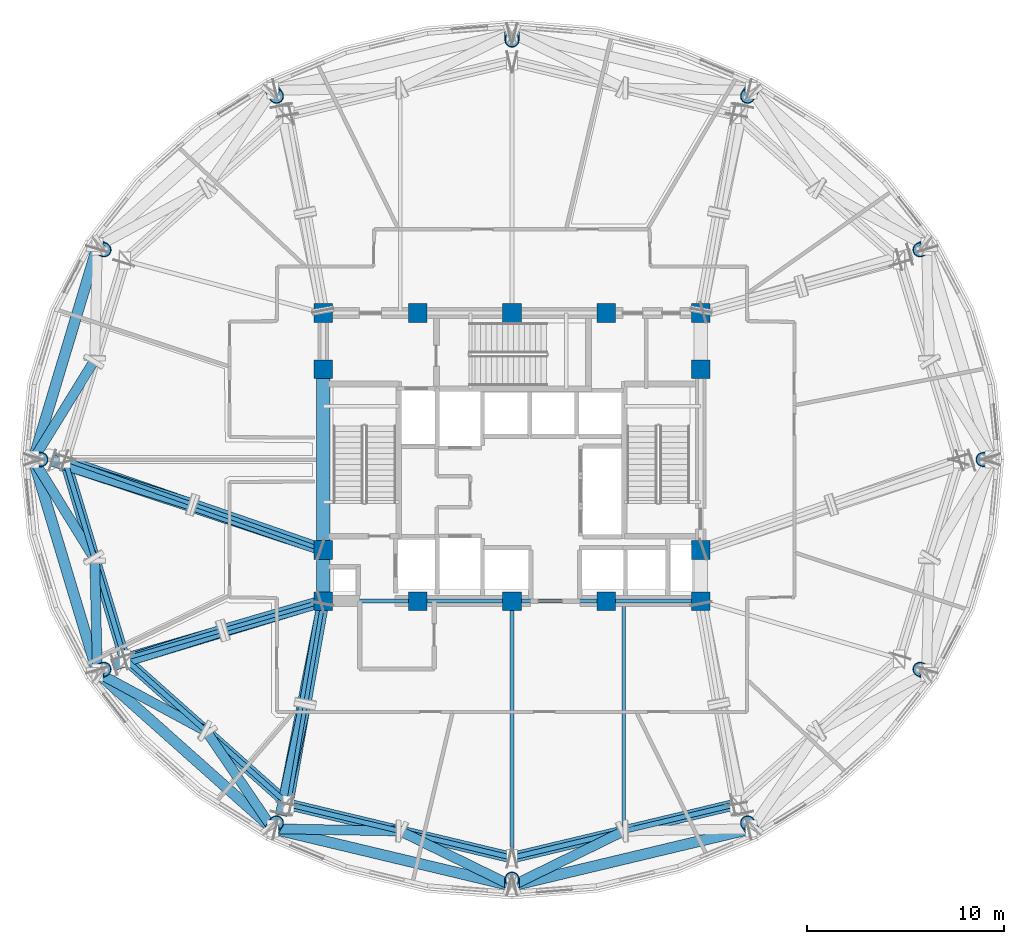
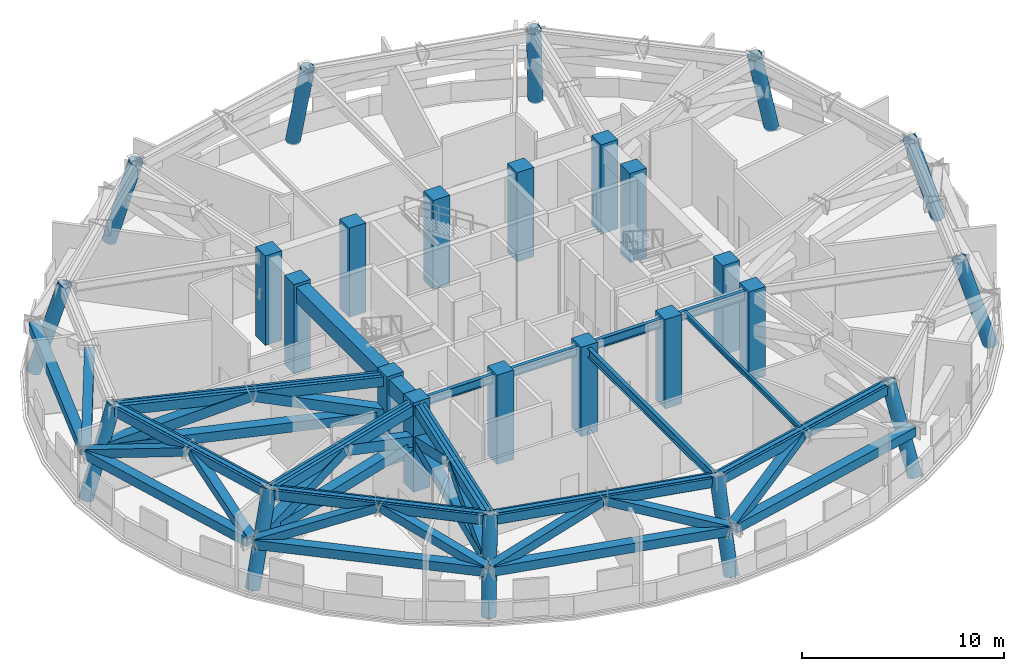
# One storey, part 1 of 13: 29 members, 26 columns, 15 beams.
"""IFC4 building model written with IfcOpenShell, lengths in metres."""

from ifc_helpers import new_model, si_unit, direction, frame, origin, origin_2d, place, context, subcontext, project, spatial, rectangle, hollow_rectangle, hollow_circle, i_section, extrude, material, material_profile, profile_set, type_object, element, save


model = new_model("IFC4")

# Units and contexts
model_context = context("Model", 3, precision=1e-05, world=origin(), true_north=direction((0.0, 1.0)))
body_context = subcontext(model_context, "Body", "Model", "MODEL_VIEW")
ifc_project = project(units=[si_unit("LENGTHUNIT", "METRE"), si_unit("AREAUNIT", "SQUARE_METRE"), si_unit("VOLUMEUNIT", "CUBIC_METRE"), si_unit("PLANEANGLEUNIT", "RADIAN"), si_unit("MASSUNIT", "GRAM", prefix="KILO")], contexts=[model_context])

# Site, building, storey
site_placement = place(None, origin())
site = spatial("IfcSite", under=ifc_project, at=site_placement, CompositionType="ELEMENT")
building_placement = place(site_placement, origin())
building = spatial("IfcBuilding", under=site, at=building_placement, Name="Vantalir Tower", CompositionType="ELEMENT")
storey_placement = place(building_placement, frame((0.0, 0.0, 175.949951171875)))
storey = spatial("IfcBuildingStorey", under=building, at=storey_placement, Name="L44", CompositionType="ELEMENT", Elevation=175.949951171875)

# Columns
ifc_material_1 = material(Name="Concrete C60/75", Category="concrete")
ifc_material_profile_1 = material_profile(ifc_material_1, rectangle(XDim=0.949951171875, YDim=0.949951171875, at=origin_2d()), Name="Concrete C60/75")
ifc_profile_set_1 = profile_set([ifc_material_profile_1], Name="Concrete C60/75")
column_type_1 = type_object("IfcColumnType", Name="COL-CC-950", PredefinedType="COLUMN", material=ifc_profile_set_1)
for number, where, z_axis, x_axis, name in (
    (1, (21.89990234375, 17.800048828125, 0.0), (0.0, 0.0, 1.0), (1.0, 0.0, 0.0), "L44 Core Column CC01"),
    (2, (26.699951171875, 17.800048828125, 0.0), (0.0, 0.0, 1.0), (1.0, 0.0, 0.0), "L44 Core Column CC02"),
    (3, (31.5, 17.800048828125, 0.0), (0.0, 0.0, 1.0), (1.0, 0.0, 0.0), "L44 Core Column CC03"),
    (4, (36.300048828125, 17.800048828125, 0.0), (0.0, 0.0, 1.0), (1.0, 0.0, 0.0), "L44 Core Column CC04"),
    (5, (41.10009765625, 17.800048828125, 0.0), (0.0, 0.0, 1.0), (1.0, 0.0, 0.0), "L44 Core Column CC05"),
    (6, (21.89990234375, 20.39990234375, 0.0), (0.0, 0.0, 1.0), (1.0, 0.0, 0.0), "L44 Core Column CC06"),
    (7, (21.89990234375, 29.60009765625, 0.0), (0.0, 0.0, 1.0), (1.0, 0.0, 0.0), "L44 Core Column CC07"),
    (8, (41.10009765625, 20.39990234375, 0.0), (0.0, 0.0, 1.0), (1.0, 0.0, 0.0), "L44 Core Column CC08"),
    (9, (41.10009765625, 29.60009765625, 0.0), (0.0, 0.0, 1.0), (1.0, 0.0, 0.0), "L44 Core Column CC09"),
    (10, (21.89990234375, 32.449951171875, 0.0), (0.0, 0.0, 1.0), (1.0, 0.0, 0.0), "L44 Core Column CC10"),
    (11, (26.699951171875, 32.449951171875, 0.0), (0.0, 0.0, 1.0), (1.0, 0.0, 0.0), "L44 Core Column CC11"),
    (12, (31.5, 32.449951171875, 0.0), (0.0, 0.0, 1.0), (1.0, 0.0, 0.0), "L44 Core Column CC12"),
    (13, (36.300048828125, 32.449951171875, 0.0), (0.0, 0.0, 1.0), (1.0, 0.0, 0.0), "L44 Core Column CC13"),
    (14, (41.10009765625, 32.449951171875, 0.0), (0.0, 0.0, 1.0), (1.0, 0.0, 0.0), "L44 Core Column CC14"),
):
    element("IfcColumn", number, at=place(storey_placement, frame(where, z_axis=z_axis, x_axis=x_axis)), inside=storey, type_object=column_type_1, Name=name, PredefinedType="COLUMN", context=body_context, shape_type="SweptSolid", body=[
        extrude(rectangle(XDim=0.949951171875, YDim=0.949951171875, at=origin_2d()), origin(), (0.0, 0.0, 1.0), 5.400146484375),
    ])
ifc_material_2 = material(Name="Steel S460", Category="steel")
ifc_material_profile_2 = material_profile(ifc_material_2, hollow_circle(Radius=0.375, WallThickness=0.034912109375, at=origin_2d()), Name="Steel S460")
ifc_profile_set_2 = profile_set([ifc_material_profile_2], Name="Steel S460")
column_type_2 = type_object("IfcColumnType", Name="COL-RC-750", PredefinedType="COLUMN", material=ifc_profile_set_2)
column_1_placement = place(storey_placement, frame((55.85009765625, 25.0, 0.0), z_axis=(-0.293073875915, 0.0, 0.956089798741), x_axis=(0.0, -1.0, 0.0)))
element("IfcColumn", 15, at=column_1_placement, inside=storey, type_object=column_type_2, Name="L44 Perimeter Ring Column RC01", PredefinedType="COLUMN", context=body_context, shape_type="SweptSolid", body=[
    extrude(hollow_circle(Radius=0.375, WallThickness=0.034912109375, at=origin_2d()), origin(), (0.0, 0.0, 1.0), 5.459716796875),
])
column_2_placement = place(storey_placement, frame((52.587890625, 35.841064453125, 0.0), z_axis=(-0.254410048903, -0.131081450245, 0.958171790661), x_axis=(0.458016587083, -0.888943646109, 0.0)))
element("IfcColumn", 16, at=column_2_placement, inside=storey, type_object=column_type_2, Name="L44 Perimeter Ring Column RC02", PredefinedType="COLUMN", context=body_context, shape_type="SweptSolid", body=[
    extrude(hollow_circle(Radius=0.375, WallThickness=0.034912109375, at=origin_2d()), origin(), (0.0, 0.0, 1.0), 5.44775390625),
])
column_3_placement = place(storey_placement, frame((43.675048828125, 43.777099609375, 0.0), z_axis=(-0.147504848841, -0.228076615526, 0.96240499636), x_axis=(0.839694625928, -0.543058868989, 0.0)))
element("IfcColumn", 17, at=column_3_placement, inside=storey, type_object=column_type_2, Name="L44 Perimeter Ring Column RC03", PredefinedType="COLUMN", context=body_context, shape_type="SweptSolid", body=[
    extrude(hollow_circle(Radius=0.375, WallThickness=0.034912109375, at=origin_2d()), origin(), (0.0, 0.0, 1.0), 5.423828125),
])
column_4_placement = place(storey_placement, frame((31.5, 46.681884765625, 0.0), z_axis=(0.0, -0.263865507207, 0.964559481891), x_axis=(1.0, 0.0, 0.0)))
element("IfcColumn", 18, at=column_4_placement, inside=storey, type_object=column_type_2, Name="L44 Perimeter Ring Column RC04", PredefinedType="COLUMN", context=body_context, shape_type="SweptSolid", body=[
    extrude(hollow_circle(Radius=0.375, WallThickness=0.034912109375, at=origin_2d()), origin(), (0.0, 0.0, 1.0), 5.411865234375),
])
column_5_placement = place(storey_placement, frame((19.324951171875, 43.777099609375, 0.0), z_axis=(0.147504848841, -0.228076615526, 0.96240499636), x_axis=(0.839694625928, 0.543058868989, 0.0)))
element("IfcColumn", 19, at=column_5_placement, inside=storey, type_object=column_type_2, Name="L44 Perimeter Ring Column RC05", PredefinedType="COLUMN", context=body_context, shape_type="SweptSolid", body=[
    extrude(hollow_circle(Radius=0.375, WallThickness=0.034912109375, at=origin_2d()), origin(), (0.0, 0.0, 1.0), 5.423828125),
])
column_6_placement = place(storey_placement, frame((10.412109375, 35.841064453125, 0.0), z_axis=(0.254410048903, -0.131081450245, 0.958171790661), x_axis=(0.458016587083, 0.888943646109, 0.0)))
element("IfcColumn", 20, at=column_6_placement, inside=storey, type_object=column_type_2, Name="L44 Perimeter Ring Column RC06", PredefinedType="COLUMN", context=body_context, shape_type="SweptSolid", body=[
    extrude(hollow_circle(Radius=0.375, WallThickness=0.034912109375, at=origin_2d()), origin(), (0.0, 0.0, 1.0), 5.44775390625),
])
column_7_placement = place(storey_placement, frame((7.14990234375, 25.0, 0.0), z_axis=(0.293073875915, 0.0, 0.956089798741), x_axis=(0.0, 1.0, 0.0)))
element("IfcColumn", 21, at=column_7_placement, inside=storey, type_object=column_type_2, Name="L44 Perimeter Ring Column RC07", PredefinedType="COLUMN", context=body_context, shape_type="SweptSolid", body=[
    extrude(hollow_circle(Radius=0.375, WallThickness=0.034912109375, at=origin_2d()), origin(), (0.0, 0.0, 1.0), 5.459716796875),
])
column_8_placement = place(storey_placement, frame((10.412109375, 14.158935546875, 0.0), z_axis=(0.254410048903, 0.131081450245, 0.958171790661), x_axis=(-0.458016587083, 0.888943646109, 0.0)))
element("IfcColumn", 22, at=column_8_placement, inside=storey, type_object=column_type_2, Name="L44 Perimeter Ring Column RC08", PredefinedType="COLUMN", context=body_context, shape_type="SweptSolid", body=[
    extrude(hollow_circle(Radius=0.375, WallThickness=0.034912109375, at=origin_2d()), origin(), (0.0, 0.0, 1.0), 5.44775390625),
])
column_9_placement = place(storey_placement, frame((19.324951171875, 6.222900390625, 0.0), z_axis=(0.147504848841, 0.228076615526, 0.96240499636), x_axis=(-0.839694625928, 0.543058868989, 0.0)))
element("IfcColumn", 23, at=column_9_placement, inside=storey, type_object=column_type_2, Name="L44 Perimeter Ring Column RC09", PredefinedType="COLUMN", context=body_context, shape_type="SweptSolid", body=[
    extrude(hollow_circle(Radius=0.375, WallThickness=0.034912109375, at=origin_2d()), origin(), (0.0, 0.0, 1.0), 5.423828125),
])
column_10_placement = place(storey_placement, frame((31.5, 3.318115234375, 0.0), z_axis=(0.0, 0.263865507207, 0.964559481891), x_axis=(-1.0, 0.0, 0.0)))
element("IfcColumn", 24, at=column_10_placement, inside=storey, type_object=column_type_2, Name="L44 Perimeter Ring Column RC10", PredefinedType="COLUMN", context=body_context, shape_type="SweptSolid", body=[
    extrude(hollow_circle(Radius=0.375, WallThickness=0.034912109375, at=origin_2d()), origin(), (0.0, 0.0, 1.0), 5.411865234375),
])
column_11_placement = place(storey_placement, frame((43.675048828125, 6.222900390625, 0.0), z_axis=(-0.147504848841, 0.228076615526, 0.96240499636), x_axis=(-0.839694625928, -0.543058868989, 0.0)))
element("IfcColumn", 25, at=column_11_placement, inside=storey, type_object=column_type_2, Name="L44 Perimeter Ring Column RC11", PredefinedType="COLUMN", context=body_context, shape_type="SweptSolid", body=[
    extrude(hollow_circle(Radius=0.375, WallThickness=0.034912109375, at=origin_2d()), origin(), (0.0, 0.0, 1.0), 5.423828125),
])
column_12_placement = place(storey_placement, frame((52.587890625, 14.158935546875, 0.0), z_axis=(-0.254410048903, 0.131081450245, 0.958171790661), x_axis=(-0.458016587083, -0.888943646109, 0.0)))
element("IfcColumn", 26, at=column_12_placement, inside=storey, type_object=column_type_2, Name="L44 Perimeter Ring Column RC12", PredefinedType="COLUMN", context=body_context, shape_type="SweptSolid", body=[
    extrude(hollow_circle(Radius=0.375, WallThickness=0.034912109375, at=origin_2d()), origin(), (0.0, 0.0, 1.0), 5.44775390625),
])

# Beams
ifc_material_profile_3 = material_profile(ifc_material_1, rectangle(XDim=0.699951171875, YDim=0.949951171875, at=origin_2d()), Name="Concrete C60/75")
ifc_profile_set_3 = profile_set([ifc_material_profile_3], Name="Concrete C60/75")
beam_type_1 = type_object("IfcBeamType", Name="BM-CB-700x950", PredefinedType="USERDEFINED", material=ifc_profile_set_3)
beam_1_placement = place(storey_placement, frame((21.89990234375, 29.60009765625, 4.7451171875), z_axis=(0.0, -1.0, 0.0), x_axis=(1.0, 0.0, 0.0)))
element("IfcBeam", 27, at=beam_1_placement, inside=storey, type_object=beam_type_1, Name="L44 Core Coupling Girder 13", ObjectType="GIRDER", PredefinedType="USERDEFINED", context=body_context, shape_type="SweptSolid", body=[
    extrude(rectangle(XDim=0.699951171875, YDim=0.949951171875, at=origin_2d()), origin(), (0.0, 0.0, 1.0), 9.2001953125),
])
beam_2_placement = place(storey_placement, frame((21.89990234375, 20.39990234375, 4.7451171875), z_axis=(0.0, -1.0, 0.0), x_axis=(1.0, 0.0, 0.0)))
element("IfcBeam", 28, at=beam_2_placement, inside=storey, type_object=beam_type_1, Name="L44 Core Coupling Girder 14", ObjectType="GIRDER", PredefinedType="USERDEFINED", context=body_context, shape_type="SweptSolid", body=[
    extrude(rectangle(XDim=0.699951171875, YDim=0.949951171875, at=origin_2d()), origin(), (0.0, 0.0, 1.0), 2.599853515625),
])
ifc_material_3 = material(Name="Steel S355", Category="steel")
ifc_material_profile_4 = material_profile(ifc_material_3, i_section(OverallWidth=0.166015625, OverallDepth=0.306884765625, WebThickness=0.006591796875, FlangeThickness=0.01171875, at=origin_2d()), Name="Steel S355")
ifc_profile_set_4 = profile_set([ifc_material_profile_4], Name="Steel S355")
beam_type_2 = type_object("IfcBeamType", Name="BM-JS-305x165", PredefinedType="JOIST", material=ifc_profile_set_4)
beam_3_placement = place(storey_placement, frame((37.18798828125, 6.14794921875, 5.066162109375), z_axis=(0.0, 1.0, 0.0), x_axis=(-1.0, 0.0, 0.0)))
element("IfcBeam", 29, at=beam_3_placement, inside=storey, type_object=beam_type_2, Name="L44 Composite Trim Joist 02", PredefinedType="JOIST", context=body_context, shape_type="SweptSolid", body=[
    extrude(i_section(OverallWidth=0.166015625, OverallDepth=0.306884765625, WebThickness=0.006591796875, FlangeThickness=0.01171875, at=origin_2d()), origin(), (0.0, 0.0, 1.0), 11.60693359375),
])
ifc_material_profile_5 = material_profile(ifc_material_3, i_section(OverallWidth=0.2109375, OverallDepth=0.5390625, WebThickness=0.01171875, FlangeThickness=0.018798828125, at=origin_2d()), Name="Steel S355")
ifc_profile_set_5 = profile_set([ifc_material_profile_5], Name="Steel S355")
beam_type_3 = type_object("IfcBeamType", Name="BM-RB-533x210", PredefinedType="BEAM", material=ifc_profile_set_5)
for number, where, z_axis, x_axis, name in (
    (30, (21.89990234375, 17.800048828125, 4.949951171875), (1.0, 0.0, 0.0), (0.0, 1.0, 0.0), "L44 Core Coupling Girder 01"),
    (31, (26.699951171875, 17.800048828125, 4.949951171875), (1.0, 0.0, 0.0), (0.0, 1.0, 0.0), "L44 Core Coupling Girder 02"),
    (32, (31.5, 17.800048828125, 4.949951171875), (1.0, 0.0, 0.0), (0.0, 1.0, 0.0), "L44 Core Coupling Girder 03"),
    (33, (36.300048828125, 17.800048828125, 4.949951171875), (1.0, 0.0, 0.0), (0.0, 1.0, 0.0), "L44 Core Coupling Girder 04"),
):
    element("IfcBeam", number, at=place(storey_placement, frame(where, z_axis=z_axis, x_axis=x_axis)), inside=storey, type_object=beam_type_3, Name=name, PredefinedType="BEAM", context=body_context, shape_type="SweptSolid", body=[
        extrude(i_section(OverallWidth=0.2109375, OverallDepth=0.5390625, WebThickness=0.01171875, FlangeThickness=0.018798828125, at=origin_2d()), origin(), (0.0, 0.0, 1.0), 4.800048828125),
    ])
beam_4_placement = place(storey_placement, frame((8.75, 25.0, 4.949951171875), z_axis=(0.943911347426, -0.330198982737, 0.0), x_axis=(0.330198982737, 0.943911347426, 0.0)))
element("IfcBeam", 34, at=beam_4_placement, inside=storey, type_object=beam_type_3, Name="L44 Radial Floor Beam 07", PredefinedType="BEAM", context=body_context, shape_type="SweptSolid", body=[
    extrude(i_section(OverallWidth=0.2109375, OverallDepth=0.5390625, WebThickness=0.01171875, FlangeThickness=0.018798828125, at=origin_2d()), origin(), (0.0, 0.0, 1.0), 13.931396484375),
])
beam_5_placement = place(storey_placement, frame((11.798095703125, 14.873046875, 4.949951171875), z_axis=(0.960493258528, 0.278303252447, 0.0), x_axis=(-0.278303252447, 0.960493258528, 0.0)))
element("IfcBeam", 35, at=beam_5_placement, inside=storey, type_object=beam_type_3, Name="L44 Radial Floor Beam 08", PredefinedType="BEAM", context=body_context, shape_type="SweptSolid", body=[
    extrude(i_section(OverallWidth=0.2109375, OverallDepth=0.5390625, WebThickness=0.01171875, FlangeThickness=0.018798828125, at=origin_2d()), origin(), (0.0, 0.0, 1.0), 10.517333984375),
])
beam_6_placement = place(storey_placement, frame((20.125, 7.4599609375, 4.949951171875), z_axis=(0.16917824882, 0.985585470736, 0.0), x_axis=(-0.985585470736, 0.16917824882, 0.0)))
element("IfcBeam", 36, at=beam_6_placement, inside=storey, type_object=beam_type_3, Name="L44 Radial Floor Beam 09", PredefinedType="BEAM", context=body_context, shape_type="SweptSolid", body=[
    extrude(i_section(OverallWidth=0.2109375, OverallDepth=0.5390625, WebThickness=0.01171875, FlangeThickness=0.018798828125, at=origin_2d()), origin(), (0.0, 0.0, 1.0), 10.4912109375),
])
beam_7_placement = place(storey_placement, frame((31.5, 4.74609375, 4.949951171875), z_axis=(0.0, 1.0, 0.0), x_axis=(-1.0, 0.0, 0.0)))
element("IfcBeam", 37, at=beam_7_placement, inside=storey, type_object=beam_type_3, Name="L44 Radial Floor Beam 10", PredefinedType="BEAM", context=body_context, shape_type="SweptSolid", body=[
    extrude(i_section(OverallWidth=0.2109375, OverallDepth=0.5390625, WebThickness=0.01171875, FlangeThickness=0.018798828125, at=origin_2d()), origin(), (0.0, 0.0, 1.0), 13.053955078125),
])
ifc_material_profile_6 = material_profile(ifc_material_2, i_section(OverallWidth=0.256103515625, OverallDepth=0.693115234375, WebThickness=0.014404296875, FlangeThickness=0.023681640625, at=origin_2d()), Name="Steel S460")
ifc_profile_set_6 = profile_set([ifc_material_profile_6], Name="Steel S460")
beam_type_4 = type_object("IfcBeamType", Name="BM-RG-686x254", PredefinedType="USERDEFINED", material=ifc_profile_set_6)
beam_8_placement = place(storey_placement, frame((8.75, 25.0, 4.8740234375), z_axis=(0.288216101977, -0.957565391271, 0.0), x_axis=(0.957565391271, 0.288216101977, 0.0)))
element("IfcBeam", 38, at=beam_8_placement, inside=storey, type_object=beam_type_4, Name="L44 Circumferential Ring Girder 07", ObjectType="GIRDER", PredefinedType="USERDEFINED", context=body_context, shape_type="SweptSolid", body=[
    extrude(i_section(OverallWidth=0.256103515625, OverallDepth=0.693115234375, WebThickness=0.014404296875, FlangeThickness=0.023681640625, at=origin_2d()), origin(), (0.0, 0.0, 1.0), 10.57568359375),
])
beam_9_placement = place(storey_placement, frame((11.798095703125, 14.873046875, 4.8740234375), z_axis=(0.746901653095, -0.664934523546, 0.0), x_axis=(0.664934523546, 0.746901653095, 0.0)))
element("IfcBeam", 39, at=beam_9_placement, inside=storey, type_object=beam_type_4, Name="L44 Circumferential Ring Girder 08", ObjectType="GIRDER", PredefinedType="USERDEFINED", context=body_context, shape_type="SweptSolid", body=[
    extrude(i_section(OverallWidth=0.256103515625, OverallDepth=0.693115234375, WebThickness=0.014404296875, FlangeThickness=0.023681640625, at=origin_2d()), origin(), (0.0, 0.0, 1.0), 11.148681640625),
])
for number, where, z_axis, x_axis, name in (
    (40, (20.125, 7.4599609375, 4.8740234375), (0.972699486774, -0.232068327073, 0.0), (0.232068327073, 0.972699486774, 0.0), "L44 Circumferential Ring Girder 09"),
    (41, (31.5, 4.74609375, 4.8740234375), (0.972699486774, 0.232068327073, 0.0), (-0.232068327073, 0.972699486774, 0.0), "L44 Circumferential Ring Girder 10"),
):
    element("IfcBeam", number, at=place(storey_placement, frame(where, z_axis=z_axis, x_axis=x_axis)), inside=storey, type_object=beam_type_4, Name=name, ObjectType="GIRDER", PredefinedType="USERDEFINED", context=body_context, shape_type="SweptSolid", body=[
        extrude(i_section(OverallWidth=0.256103515625, OverallDepth=0.693115234375, WebThickness=0.014404296875, FlangeThickness=0.023681640625, at=origin_2d()), origin(), (0.0, 0.0, 1.0), 11.6943359375),
    ])

# Members
ifc_material_profile_7 = material_profile(ifc_material_2, hollow_rectangle(XDim=0.5, YDim=0.5, WallThickness=0.035888671875, at=origin_2d()), Name="Steel S460")
ifc_profile_set_7 = profile_set([ifc_material_profile_7], Name="Steel S460")
member_type_1 = type_object("IfcMemberType", Name="MEM-BT-500x36", PredefinedType="BRACE", material=ifc_profile_set_7)
for number, where, z_axis, x_axis, name in (
    (42, (7.22412109375, 25.1201171875, 2.8701171875), (0.49521291416, 0.802502814857, 0.332796336812), (-0.85101155738, 0.525146959627, 0.0), "L44 Belt Truss Web Diagonal 06B"),
    (43, (7.22412109375, 24.8798828125, 2.8701171875), (0.49521291416, -0.802502814857, 0.332796336812), (0.85101155738, 0.525146959627, 0.0), "L44 Belt Truss Web Diagonal 07A"),
):
    element("IfcMember", number, at=place(storey_placement, frame(where, z_axis=z_axis, x_axis=x_axis)), inside=storey, type_object=member_type_1, Name=name, PredefinedType="BRACE", context=body_context, shape_type="SweptSolid", body=[
        extrude(hollow_rectangle(XDim=0.5, YDim=0.5, WallThickness=0.035888671875, at=origin_2d()), origin(), (0.0, 0.0, 1.0), 6.039794921875),
    ])
member_1_placement = place(storey_placement, frame((10.408935546875, 14.300048828125, 2.87109375), z_axis=(-0.022424636185, 0.93959225615, 0.34156043078), x_axis=(-0.999715320316, -0.023859554184, 0.0)))
element("IfcMember", 44, at=member_1_placement, inside=storey, type_object=member_type_1, Name="L44 Belt Truss Web Diagonal 07B", PredefinedType="BRACE", context=body_context, shape_type="SweptSolid", body=[
    extrude(hollow_rectangle(XDim=0.5, YDim=0.5, WallThickness=0.035888671875, at=origin_2d()), origin(), (0.0, 0.0, 1.0), 5.879150390625),
])
member_2_placement = place(storey_placement, frame((10.537109375, 14.091064453125, 2.866943359375), z_axis=(0.835108312997, -0.45020100553, 0.316090430388), x_axis=(0.474530634591, 0.880238988477, 0.0)))
element("IfcMember", 45, at=member_2_placement, inside=storey, type_object=member_type_1, Name="L44 Belt Truss Web Diagonal 08A", PredefinedType="BRACE", context=body_context, shape_type="SweptSolid", body=[
    extrude(hollow_rectangle(XDim=0.5, YDim=0.5, WallThickness=0.035888671875, at=origin_2d()), origin(), (0.0, 0.0, 1.0), 6.375244140625),
])
member_3_placement = place(storey_placement, frame((19.2451171875, 6.340087890625, 2.8701171875), z_axis=(-0.530761981348, 0.780087321486, 0.331293661292), x_axis=(-0.826777344391, -0.562529308394, 0.0)))
element("IfcMember", 46, at=member_3_placement, inside=storey, type_object=member_type_1, Name="L44 Belt Truss Web Diagonal 08B", PredefinedType="BRACE", context=body_context, shape_type="SweptSolid", body=[
    extrude(hollow_rectangle(XDim=0.5, YDim=0.5, WallThickness=0.035888671875, at=origin_2d()), origin(), (0.0, 0.0, 1.0), 6.067138671875),
])
member_4_placement = place(storey_placement, frame((19.468017578125, 6.219970703125, 2.865966796875), z_axis=(0.951230406233, -0.017557391697, 0.307981253088), x_axis=(0.018454416098, 0.999829702763, 0.0)))
element("IfcMember", 47, at=member_4_placement, inside=storey, type_object=member_type_1, Name="L44 Belt Truss Web Diagonal 09A", PredefinedType="BRACE", context=body_context, shape_type="SweptSolid", body=[
    extrude(hollow_rectangle(XDim=0.5, YDim=0.5, WallThickness=0.035888671875, at=origin_2d()), origin(), (0.0, 0.0, 1.0), 6.54931640625),
])
for number, where, z_axis, x_axis, name in (
    (48, (31.3720703125, 3.381103515625, 2.866943359375), (-0.8524646674, 0.417384275234, 0.314792562845), (-0.439740463391, -0.898124893796, 0.0), "L44 Belt Truss Web Diagonal 09B"),
    (49, (31.6279296875, 3.381103515625, 2.866943359375), (0.8524646674, 0.417384275234, 0.314792562845), (-0.439740463391, 0.898124893796, 0.0), "L44 Belt Truss Web Diagonal 10A"),
):
    element("IfcMember", number, at=place(storey_placement, frame(where, z_axis=z_axis, x_axis=x_axis)), inside=storey, type_object=member_type_1, Name=name, PredefinedType="BRACE", context=body_context, shape_type="SweptSolid", body=[
        extrude(hollow_rectangle(XDim=0.5, YDim=0.5, WallThickness=0.035888671875, at=origin_2d()), origin(), (0.0, 0.0, 1.0), 6.4013671875),
    ])
ifc_material_profile_8 = material_profile(ifc_material_2, hollow_rectangle(XDim=0.550048828125, YDim=0.550048828125, WallThickness=0.035888671875, at=origin_2d()), Name="Steel S460")
ifc_profile_set_8 = profile_set([ifc_material_profile_8], Name="Steel S460")
member_type_2 = type_object("IfcMemberType", Name="MEM-CH-550x36", PredefinedType="CHORD", material=ifc_profile_set_8)
for number, where, z_axis, x_axis, name in (
    (50, (10.368896484375, 35.697021484375, 2.820068359375), (-0.288170908897, -0.957578992703, 0.0), (0.957578992703, -0.288170908897, 0.0), "L44 Belt Truss Bottom Chord 06"),
    (51, (7.193115234375, 24.85595703125, 2.820068359375), (0.288170908897, -0.957578992703, 0.0), (0.957578992703, 0.288170908897, 0.0), "L44 Belt Truss Bottom Chord 07"),
):
    element("IfcMember", number, at=place(storey_placement, frame(where, z_axis=z_axis, x_axis=x_axis)), inside=storey, type_object=member_type_2, Name=name, PredefinedType="CHORD", context=body_context, shape_type="SweptSolid", body=[
        extrude(hollow_rectangle(XDim=0.550048828125, YDim=0.550048828125, WallThickness=0.035888671875, at=origin_2d()), origin(), (0.0, 0.0, 1.0), 11.0205078125),
    ])
member_5_placement = place(storey_placement, frame((8.79296875, 24.85595703125, 4.920166015625), z_axis=(0.2882632994, -0.957551184125, 0.0), x_axis=(0.957551184125, 0.2882632994, 0.0)))
element("IfcMember", 52, at=member_5_placement, inside=storey, type_object=member_type_2, Name="L44 Belt Truss Top Chord 07", PredefinedType="CHORD", context=body_context, shape_type="SweptSolid", body=[
    extrude(hollow_rectangle(XDim=0.550048828125, YDim=0.550048828125, WallThickness=0.035888671875, at=origin_2d()), origin(), (0.0, 0.0, 1.0), 10.275146484375),
])
member_6_placement = place(storey_placement, frame((10.52392578125, 14.05908203125, 2.820068359375), z_axis=(0.746873005069, -0.664966701647, 0.0), x_axis=(0.664966701647, 0.746873005069, 0.0)))
element("IfcMember", 53, at=member_6_placement, inside=storey, type_object=member_type_2, Name="L44 Belt Truss Bottom Chord 08", PredefinedType="CHORD", context=body_context, shape_type="SweptSolid", body=[
    extrude(hollow_rectangle(XDim=0.550048828125, YDim=0.550048828125, WallThickness=0.035888671875, at=origin_2d()), origin(), (0.0, 0.0, 1.0), 11.6337890625),
])
member_7_placement = place(storey_placement, frame((11.909912109375, 14.77294921875, 4.920166015625), z_axis=(0.746942270971, -0.664888895859, 0.0), x_axis=(0.664888895859, 0.746942270971, 0.0)))
element("IfcMember", 54, at=member_7_placement, inside=storey, type_object=member_type_2, Name="L44 Belt Truss Top Chord 08", PredefinedType="CHORD", context=body_context, shape_type="SweptSolid", body=[
    extrude(hollow_rectangle(XDim=0.550048828125, YDim=0.550048828125, WallThickness=0.035888671875, at=origin_2d()), origin(), (0.0, 0.0, 1.0), 10.84814453125),
])
member_8_placement = place(storey_placement, frame((19.470947265625, 6.18798828125, 2.820068359375), z_axis=(0.972701690789, -0.232059088888, 0.0), x_axis=(0.232059088888, 0.972701690789, 0.0)))
element("IfcMember", 55, at=member_8_placement, inside=storey, type_object=member_type_2, Name="L44 Belt Truss Bottom Chord 09", PredefinedType="CHORD", context=body_context, shape_type="SweptSolid", body=[
    extrude(hollow_rectangle(XDim=0.550048828125, YDim=0.550048828125, WallThickness=0.035888671875, at=origin_2d()), origin(), (0.0, 0.0, 1.0), 12.216552734375),
])
member_9_placement = place(storey_placement, frame((20.27099609375, 7.425048828125, 4.920166015625), z_axis=(0.972702660825, -0.232055022838, 0.0), x_axis=(0.232055022838, 0.972702660825, 0.0)))
element("IfcMember", 56, at=member_9_placement, inside=storey, type_object=member_type_2, Name="L44 Belt Truss Top Chord 09", PredefinedType="CHORD", context=body_context, shape_type="SweptSolid", body=[
    extrude(hollow_rectangle(XDim=0.550048828125, YDim=0.550048828125, WallThickness=0.035888671875, at=origin_2d()), origin(), (0.0, 0.0, 1.0), 11.39404296875),
])
member_10_placement = place(storey_placement, frame((31.64599609375, 3.35302734375, 2.820068359375), z_axis=(0.972701690789, 0.232059088888, 0.0), x_axis=(-0.232059088888, 0.972701690789, 0.0)))
element("IfcMember", 57, at=member_10_placement, inside=storey, type_object=member_type_2, Name="L44 Belt Truss Bottom Chord 10", PredefinedType="CHORD", context=body_context, shape_type="SweptSolid", body=[
    extrude(hollow_rectangle(XDim=0.550048828125, YDim=0.550048828125, WallThickness=0.035888671875, at=origin_2d()), origin(), (0.0, 0.0, 1.0), 12.216552734375),
])
member_11_placement = place(storey_placement, frame((31.64599609375, 4.781005859375, 4.920166015625), z_axis=(0.972702660825, 0.232055022838, 0.0), x_axis=(-0.232055022838, 0.972702660825, 0.0)))
element("IfcMember", 58, at=member_11_placement, inside=storey, type_object=member_type_2, Name="L44 Belt Truss Top Chord 10", PredefinedType="CHORD", context=body_context, shape_type="SweptSolid", body=[
    extrude(hollow_rectangle(XDim=0.550048828125, YDim=0.550048828125, WallThickness=0.035888671875, at=origin_2d()), origin(), (0.0, 0.0, 1.0), 11.39404296875),
])
ifc_material_profile_9 = material_profile(ifc_material_2, hollow_rectangle(XDim=0.580078125, YDim=0.580078125, WallThickness=0.0380859375, at=origin_2d()), Name="Steel S460")
ifc_profile_set_9 = profile_set([ifc_material_profile_9], Name="Steel S460")
member_type_3 = type_object("IfcMemberType", Name="MEM-CH-580x38", PredefinedType="CHORD", material=ifc_profile_set_9)
member_12_placement = place(storey_placement, frame((21.758056640625, 20.447021484375, 2.820068359375), z_axis=(-0.949464389096, 0.313874774135, 0.0), x_axis=(-0.313874774135, -0.949464389096, 0.0)))
element("IfcMember", 59, at=member_12_placement, inside=storey, type_object=member_type_3, Name="L44 Outrigger Truss Bottom Chord 05", PredefinedType="CHORD", context=body_context, shape_type="SweptSolid", body=[
    extrude(hollow_rectangle(XDim=0.580078125, YDim=0.580078125, WallThickness=0.0380859375, at=origin_2d()), origin(), (0.0, 0.0, 1.0), 14.355712890625),
])
member_13_placement = place(storey_placement, frame((21.758056640625, 20.448974609375, 4.920166015625), z_axis=(-0.945004839034, 0.327056347137, 0.0), x_axis=(-0.327056347137, -0.945004839034, 0.0)))
element("IfcMember", 60, at=member_13_placement, inside=storey, type_object=member_type_3, Name="L44 Outrigger Truss Top Chord 05", PredefinedType="CHORD", context=body_context, shape_type="SweptSolid", body=[
    extrude(hollow_rectangle(XDim=0.580078125, YDim=0.580078125, WallThickness=0.0380859375, at=origin_2d()), origin(), (0.0, 0.0, 1.0), 13.76513671875),
])
member_14_placement = place(storey_placement, frame((21.756103515625, 17.756103515625, 2.820068359375), z_axis=(-0.956864859739, -0.290533371916, 0.0), x_axis=(0.290533371916, -0.956864859739, 0.0)))
element("IfcMember", 61, at=member_14_placement, inside=storey, type_object=member_type_3, Name="L44 Outrigger Truss Bottom Chord 06", PredefinedType="CHORD", context=body_context, shape_type="SweptSolid", body=[
    extrude(hollow_rectangle(XDim=0.580078125, YDim=0.580078125, WallThickness=0.0380859375, at=origin_2d()), origin(), (0.0, 0.0, 1.0), 10.949462890625),
])
member_15_placement = place(storey_placement, frame((21.756103515625, 17.758056640625, 4.920166015625), z_axis=(-0.959799560179, -0.280686309391, 0.0), x_axis=(0.280686309391, -0.959799560179, 0.0)))
element("IfcMember", 62, at=member_15_placement, inside=storey, type_object=member_type_3, Name="L44 Outrigger Truss Top Chord 06", PredefinedType="CHORD", context=body_context, shape_type="SweptSolid", body=[
    extrude(hollow_rectangle(XDim=0.580078125, YDim=0.580078125, WallThickness=0.0380859375, at=origin_2d()), origin(), (0.0, 0.0, 1.0), 10.353271484375),
])
member_16_placement = place(storey_placement, frame((21.87109375, 17.653076171875, 2.820068359375), z_axis=(-0.193608221332, -0.981078924773, 0.0), x_axis=(0.981078924773, -0.193608221332, 0.0)))
element("IfcMember", 63, at=member_16_placement, inside=storey, type_object=member_type_3, Name="L44 Outrigger Truss Bottom Chord 07", PredefinedType="CHORD", context=body_context, shape_type="SweptSolid", body=[
    extrude(hollow_rectangle(XDim=0.580078125, YDim=0.580078125, WallThickness=0.0380859375, at=origin_2d()), origin(), (0.0, 0.0, 1.0), 10.842041015625),
])
member_17_placement = place(storey_placement, frame((21.8740234375, 17.652099609375, 4.920166015625), z_axis=(-0.17397848073, -0.984749454553, 0.0), x_axis=(0.984749454553, -0.17397848073, 0.0)))
element("IfcMember", 64, at=member_17_placement, inside=storey, type_object=member_type_3, Name="L44 Outrigger Truss Top Chord 07", PredefinedType="CHORD", context=body_context, shape_type="SweptSolid", body=[
    extrude(hollow_rectangle(XDim=0.580078125, YDim=0.580078125, WallThickness=0.0380859375, at=origin_2d()), origin(), (0.0, 0.0, 1.0), 10.311279296875),
])
ifc_material_profile_10 = material_profile(ifc_material_2, hollow_rectangle(XDim=0.60009765625, YDim=0.60009765625, WallThickness=0.0400390625, at=origin_2d()), Name="Steel S460")
ifc_profile_set_10 = profile_set([ifc_material_profile_10], Name="Steel S460")
member_type_4 = type_object("IfcMemberType", Name="MEM-OR-600x40", PredefinedType="BRACE", material=ifc_profile_set_10)
member_18_placement = place(storey_placement, frame((21.763916015625, 20.447021484375, 2.863037109375), z_axis=(-0.905490955111, 0.313354162626, 0.286173546954), x_axis=(-0.327031331595, -0.945013496282, 0.0)))
element("IfcMember", 65, at=member_18_placement, inside=storey, type_object=member_type_4, Name="L44 Outrigger Truss Diagonal 05A", PredefinedType="BRACE", context=body_context, shape_type="SweptSolid", body=[
    extrude(hollow_rectangle(XDim=0.60009765625, YDim=0.60009765625, WallThickness=0.0400390625, at=origin_2d()), origin(), (0.0, 0.0, 1.0), 7.06884765625),
])
member_19_placement = place(storey_placement, frame((15.14404296875, 22.735107421875, 4.887939453125), z_axis=(-0.919218772668, 0.290775894532, -0.265492423874), x_axis=(-0.301599408766, -0.95343473643, 0.0)))
element("IfcMember", 66, at=member_19_placement, inside=storey, type_object=member_type_4, Name="L44 Outrigger Truss Diagonal 05B", PredefinedType="BRACE", context=body_context, shape_type="SweptSolid", body=[
    extrude(hollow_rectangle(XDim=0.60009765625, YDim=0.60009765625, WallThickness=0.0400390625, at=origin_2d()), origin(), (0.0, 0.0, 1.0), 7.637939453125),
])
member_20_placement = place(storey_placement, frame((21.76611328125, 17.760986328125, 2.875), z_axis=(-0.892881419062, -0.261214356609, 0.366783084936), x_axis=(0.280783117095, -0.95977124418, 0.0)))
element("IfcMember", 67, at=member_20_placement, inside=storey, type_object=member_type_4, Name="L44 Outrigger Truss Diagonal 06A", PredefinedType="BRACE", context=body_context, shape_type="SweptSolid", body=[
    extrude(hollow_rectangle(XDim=0.60009765625, YDim=0.60009765625, WallThickness=0.0400390625, at=origin_2d()), origin(), (0.0, 0.0, 1.0), 5.45556640625),
])
member_21_placement = place(storey_placement, frame((16.678955078125, 16.27099609375, 4.880126953125), z_axis=(-0.899255081596, -0.28218690227, -0.334231731605), x_axis=(0.299405430705, -0.954125981233, 0.0)))
element("IfcMember", 68, at=member_21_placement, inside=storey, type_object=member_type_4, Name="L44 Outrigger Truss Diagonal 06B", PredefinedType="BRACE", context=body_context, shape_type="SweptSolid", body=[
    extrude(hollow_rectangle(XDim=0.60009765625, YDim=0.60009765625, WallThickness=0.0400390625, at=origin_2d()), origin(), (0.0, 0.0, 1.0), 6.013916015625),
])
member_22_placement = place(storey_placement, frame((21.8759765625, 17.6630859375, 2.875), z_axis=(-0.161838190736, -0.915616178996, 0.368042677933), x_axis=(0.98473587502, -0.174055325825, 0.0)))
element("IfcMember", 69, at=member_22_placement, inside=storey, type_object=member_type_4, Name="L44 Outrigger Truss Diagonal 07A", PredefinedType="BRACE", context=body_context, shape_type="SweptSolid", body=[
    extrude(hollow_rectangle(XDim=0.60009765625, YDim=0.60009765625, WallThickness=0.0400390625, at=origin_2d()), origin(), (0.0, 0.0, 1.0), 5.436767578125),
])
member_23_placement = place(storey_placement, frame((20.952880859375, 12.465087890625, 4.879150390625), z_axis=(-0.198836828532, -0.919759184494, -0.338388767779), x_axis=(0.97742075511, -0.211302313001, 0.0)))
element("IfcMember", 70, at=member_23_placement, inside=storey, type_object=member_type_4, Name="L44 Outrigger Truss Diagonal 07B", PredefinedType="BRACE", context=body_context, shape_type="SweptSolid", body=[
    extrude(hollow_rectangle(XDim=0.60009765625, YDim=0.60009765625, WallThickness=0.0400390625, at=origin_2d()), origin(), (0.0, 0.0, 1.0), 5.93408203125),
])

save(model, "model.ifc")
